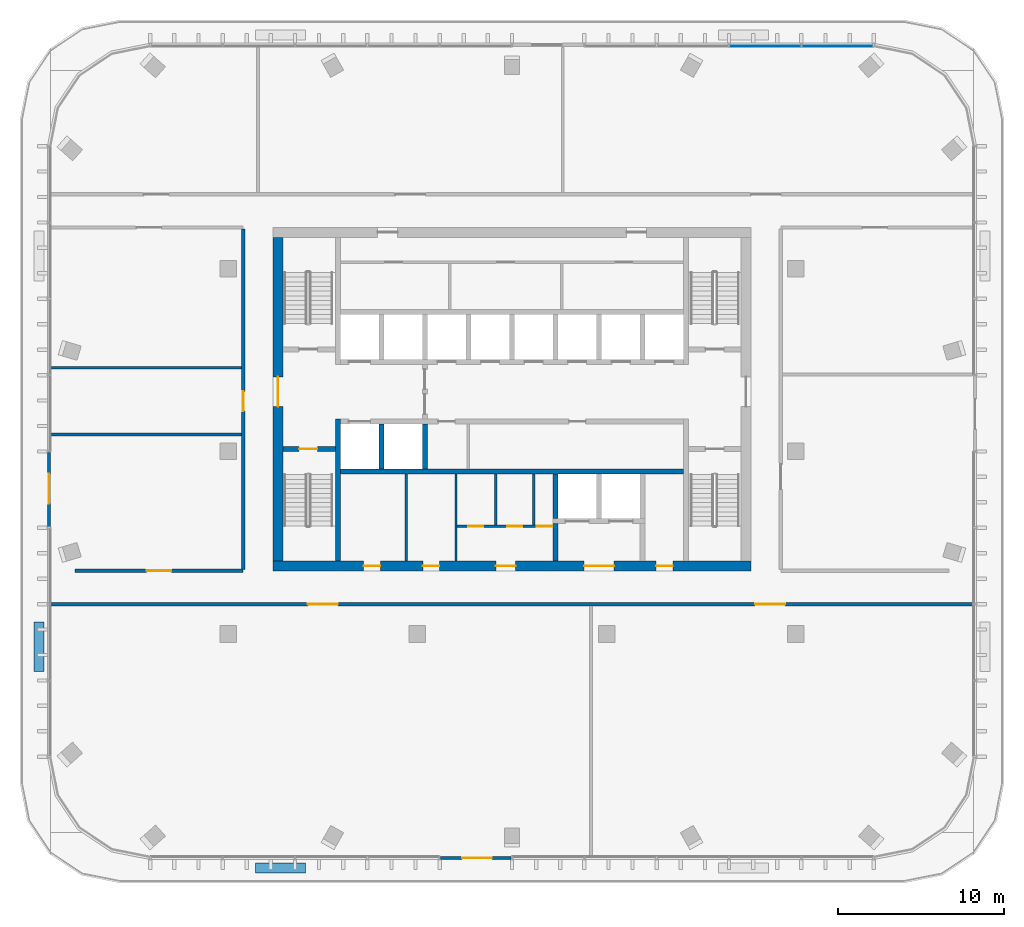
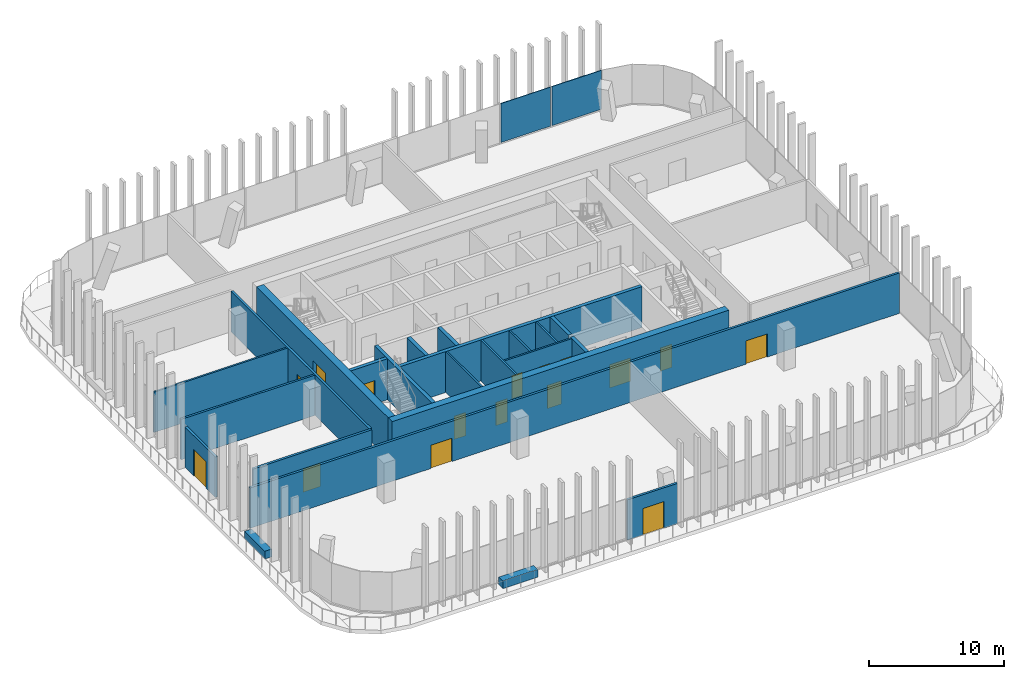
# One storey, part 7 of 16: 23 walls, 16 doors, 2 plates, 16 openings, 1 element without a shape of its own.
"""IFC4 building model written with IfcOpenShell, lengths in metres."""

import ifcopenshell
import ifcopenshell.guid

model = None  # the IFC model being written
_history = None  # IfcOwnerHistory: only IFC2X3 demands one
_inside = {}  # id of a spatial element -> (the spatial element, [elements in it])
_under = {}  # id of a project, library or spatial element -> (it, [spatial elements below it])
_declared = {}  # id of a project -> (the project, [libraries it declares])
_typed = {}  # id of a type object -> (the type object, [elements of that type])
_made_of = {}  # id of a material, layer set ... -> (it, [elements and type objects made of it])


def new_model(schema):
    """Start an empty IFC model of exactly this schema.

    Asked for "IFC4X3", IfcOpenShell would pick the latest addendum, in which some entities
    have other attributes; the version numbers below select the first issue.
    IFC2X3 requires an IfcOwnerHistory on every rooted entity: one is made here for all.
    """
    global model, _history
    if schema == "IFC4X3":
        model = ifcopenshell.file(schema_version=(4, 3, 0, 0))
    else:
        model = ifcopenshell.file(schema=schema)
    _inside.clear()
    _under.clear()
    _declared.clear()
    _typed.clear()
    _made_of.clear()
    _history = None
    if model.schema == "IFC2X3":
        org = make("IfcOrganization", Name="unknown")
        user = make(
            "IfcPersonAndOrganization",
            ThePerson=make("IfcPerson", FamilyName="unknown"),
            TheOrganization=org,
        )
        app = make(
            "IfcApplication",
            ApplicationDeveloper=org,
            Version="unknown",
            ApplicationFullName="unknown",
            ApplicationIdentifier="unknown",
        )
        _history = make(
            "IfcOwnerHistory",
            OwningUser=user,
            OwningApplication=app,
            ChangeAction="ADDED",
            CreationDate=0,
        )
    return model


def make(cls, **values):
    """One entity of the class cls with the attributes given. An attribute that is None is left unset."""
    return model.create_entity(
        cls, **{name: value for name, value in values.items() if value is not None}
    )


def rooted(cls, **values):
    """An entity with a GlobalId (a new one), such as an element, a storey or a relation."""
    return make(cls, GlobalId=ifcopenshell.guid.new(), OwnerHistory=_history, **values)


def si_unit(unit_type, name, prefix=None):
    """IfcSIUnit, for example si_unit("LENGTHUNIT", "METRE", prefix="MILLI")."""
    return make("IfcSIUnit", UnitType=unit_type, Prefix=prefix, Name=name)


def assignment(units):
    """IfcUnitAssignment: the units of a project."""
    return None if units is None else make("IfcUnitAssignment", Units=units)


def point(xyz):
    """IfcCartesianPoint."""
    return None if xyz is None else make("IfcCartesianPoint", Coordinates=xyz)


def direction(xyz):
    """IfcDirection."""
    return None if xyz is None else make("IfcDirection", DirectionRatios=xyz)


def frame(location, z_axis=None, x_axis=None):
    """IfcAxis2Placement3D, a coordinate frame: its origin and axes. An axis left out is left unset."""
    return make(
        "IfcAxis2Placement3D",
        Location=point(location),
        Axis=direction(z_axis),
        RefDirection=direction(x_axis),
    )


def frame_2d(location, x_axis=None):
    """IfcAxis2Placement2D, a coordinate frame in the plane: its origin and x axis."""
    return make(
        "IfcAxis2Placement2D", Location=point(location), RefDirection=direction(x_axis)
    )


def origin():
    """The frame at (0, 0, 0) with its axes left unset."""
    return frame((0.0, 0.0, 0.0))


def origin_2d():
    """The frame at (0, 0) in the plane with its x axis left unset."""
    return frame_2d((0.0, 0.0))


def place(relative_to, where):
    """IfcLocalPlacement: puts the frame where relative to a parent placement (None: the world)."""
    return make(
        "IfcLocalPlacement", PlacementRelTo=relative_to, RelativePlacement=where
    )


def context(
    kind, dimensions, precision=None, world=None, true_north=None, identifier=None
):
    """IfcGeometricRepresentationContext, for example the 3D "Model" context."""
    return make(
        "IfcGeometricRepresentationContext",
        ContextIdentifier=identifier,
        ContextType=kind,
        CoordinateSpaceDimension=dimensions,
        Precision=precision,
        WorldCoordinateSystem=world,
        TrueNorth=true_north,
    )


def subcontext(parent, identifier, kind, view, scale=None):
    """IfcGeometricRepresentationSubContext, for example "Body" below "Model"."""
    return make(
        "IfcGeometricRepresentationSubContext",
        ContextIdentifier=identifier,
        ContextType=kind,
        ParentContext=parent,
        TargetScale=scale,
        TargetView=view,
    )


def project(units=None, contexts=None):
    """IfcProject with its units and contexts."""
    return rooted(
        "IfcProject",
        Name="project",
        RepresentationContexts=contexts,
        UnitsInContext=assignment(units),
    )


def spatial(cls, under=None, at=None, **own):
    """A site, building, storey or space (cls), placed at a placement, below another one or the project."""
    s = rooted(cls, ObjectPlacement=at, **own)
    if under is not None:
        _under.setdefault(under.id(), (under, []))[1].append(s)
    return s


def profile(cls, at=None, kind="AREA", **sizes):
    """A parametric profile (cls). Its sizes go by their IFC names, for example OverallWidth=200.0."""
    return make(cls, ProfileType=kind, Position=at, **sizes)


def rectangle(**sizes):
    """IfcRectangleProfileDef."""
    return profile("IfcRectangleProfileDef", **sizes)


def extrude(swept, where, along, depth):
    """IfcExtrudedAreaSolid: the profile swept, set in the frame where, extruded along a direction by depth."""
    return make(
        "IfcExtrudedAreaSolid",
        SweptArea=swept,
        Position=where,
        ExtrudedDirection=direction(along),
        Depth=depth,
    )


def shape(context_of_items, identifier, shape_type, items):
    """IfcShapeRepresentation: the items that make up one representation, for example the "Body"."""
    return make(
        "IfcShapeRepresentation",
        ContextOfItems=context_of_items,
        RepresentationIdentifier=identifier,
        RepresentationType=shape_type,
        Items=items,
    )


def material(Name=None, Category=None):
    """IfcMaterial."""
    return make("IfcMaterial", Name=Name, Category=Category)


def layer(
    of_material, thickness, ventilated=None, Name=None, Category=None, Priority=None
):
    """IfcMaterialLayer: one layer of a wall or slab, of a material (None: an air gap)."""
    return make(
        "IfcMaterialLayer",
        Material=of_material,
        LayerThickness=thickness,
        IsVentilated=ventilated,
        Name=Name,
        Category=Category,
        Priority=Priority,
    )


def layer_set(layers, Name=None):
    """IfcMaterialLayerSet."""
    return make("IfcMaterialLayerSet", MaterialLayers=layers, LayerSetName=Name)


def made_of(thing, what):
    """Note that an element or type object is made of a material, layer set ...; save() writes the relation."""
    if what is not None:
        _made_of.setdefault(what.id(), (what, []))[1].append(thing)
    return thing


def type_object(cls, material=None, **own):
    """A type object (cls), such as IfcWallType, which elements share."""
    return made_of(rooted(cls, **own), material)


def element(
    cls,
    number,
    at=None,
    inside=None,
    cuts=None,
    type_object=None,
    material=None,
    context=None,
    identifier="Body",
    shape_type=None,
    held_by="IfcProductDefinitionShape",
    body=None,
    shapes=None,
    **own,
):
    """One element of the class cls, such as IfcWall. Its Tag is "e" and its number.

    at: its placement. inside: the storey or other place that contains it. cuts: it is an
    opening in that element (IfcRelVoidsElement). A single representation is given by context,
    identifier, shape_type and body (its items); several are given by shapes. held_by: the class
    of the entity that holds the representations. save() writes the other relations.
    """
    e = rooted(cls, Tag="e%d" % number, ObjectPlacement=at, **own)
    if body is not None:
        shapes = [shape(context, identifier, shape_type, body)]
    if shapes is not None:
        e.Representation = make(held_by, Representations=shapes)
    if inside is not None:
        _inside.setdefault(inside.id(), (inside, []))[1].append(e)
    if cuts is not None:
        rooted(
            "IfcRelVoidsElement", RelatingBuildingElement=cuts, RelatedOpeningElement=e
        )
    if type_object is not None:
        _typed.setdefault(type_object.id(), (type_object, []))[1].append(e)
    return made_of(e, material)


def fill(opening, filler):
    """IfcRelFillsElement: the door or window that sits in an opening."""
    return rooted(
        "IfcRelFillsElement",
        RelatingOpeningElement=opening,
        RelatedBuildingElement=filler,
    )


def aggregate(whole, parts):
    """IfcRelAggregates: a whole, such as a stair, and the parts it consists of."""
    return rooted("IfcRelAggregates", RelatingObject=whole, RelatedObjects=parts)


def save(model, path):
    """Write the relations noted so far, then the file.

    IfcRelAggregates (storeys below a building ...), IfcRelContainedInSpatialStructure (elements
    in a storey), IfcRelDefinesByType, IfcRelAssociatesMaterial and IfcRelDeclares: one each for
    every whole, place, type object, material and project.
    """
    for whole, parts in _under.values():
        aggregate(whole, parts)
    for where, things in _inside.values():
        rooted(
            "IfcRelContainedInSpatialStructure",
            RelatedElements=things,
            RelatingStructure=where,
        )
    for kind, things in _typed.values():
        rooted("IfcRelDefinesByType", RelatedObjects=things, RelatingType=kind)
    for what, things in _made_of.values():
        rooted("IfcRelAssociatesMaterial", RelatedObjects=things, RelatingMaterial=what)
    for by, libraries in _declared.values():
        rooted("IfcRelDeclares", RelatingContext=by, RelatedDefinitions=libraries)
    model.write(path)


model = new_model("IFC4")

# Units and contexts
model_context = context("Model", 3, precision=1e-05, world=origin(), true_north=direction((0.0, 1.0)))
body_context = subcontext(model_context, "Body", "Model", "MODEL_VIEW")
ifc_project = project(units=[si_unit("LENGTHUNIT", "METRE"), si_unit("AREAUNIT", "SQUARE_METRE"), si_unit("VOLUMEUNIT", "CUBIC_METRE"), si_unit("PLANEANGLEUNIT", "RADIAN"), si_unit("MASSUNIT", "GRAM", prefix="KILO")], contexts=[model_context])

# Site, building, storey
site_placement = place(None, origin())
site = spatial("IfcSite", under=ifc_project, at=site_placement, CompositionType="ELEMENT")
building_placement = place(site_placement, origin())
building = spatial("IfcBuilding", under=site, at=building_placement, Name="Mopane Tessera Tower", CompositionType="ELEMENT")
storey_placement = place(building_placement, frame((0.0, 0.0, 321.39990234375)))
storey = spatial("IfcBuildingStorey", under=building, at=storey_placement, Name="L70", CompositionType="ELEMENT", Elevation=321.39990234375)

# Curtain wall, plates
ifc_material_1 = material(Name="Aluminium frame", Category="aluminium")
curtain_wall_type = type_object("IfcCurtainWallType", Name="Unitised curtain wall", PredefinedType="NOTDEFINED", material=ifc_material_1)
curtain_wall_placement = place(storey_placement, origin())
curtain_wall = element("IfcCurtainWall", 1, at=curtain_wall_placement, inside=storey, type_object=curtain_wall_type, Name="e:cw:L70:N:0", PredefinedType="NOTDEFINED")
ifc_material_2 = material(Name="Clear laminated glass", Category="glass")
ifc_layer_1 = layer(ifc_material_2, 0.06005859375)
ifc_layer_set_1 = layer_set([ifc_layer_1], Name="Clear laminated glass")
plate_type = type_object("IfcPlateType", Name="Unitised glazed unit", PredefinedType="CURTAIN_PANEL", material=ifc_layer_set_1)
plate_1_placement = place(storey_placement, frame((19.6201171875, 24.429931640625, 0.1201171875), z_axis=(0.0, 0.0, 1.0), x_axis=(-1.0, 0.0, 0.0)))
plate_1 = element("IfcPlate", 2, at=plate_1_placement, type_object=plate_type, Name="e:cw:L70:N:0:pn0", PredefinedType="CURTAIN_PANEL", context=body_context, shape_type="SweptSolid", body=[
    extrude(rectangle(XDim=4.260009765625, YDim=0.06005859375, at=origin_2d()), origin(), (0.0, 0.0, 1.0), 3.530029296875),
])
plate_2_placement = place(storey_placement, frame((15.260009765625, 24.429931640625, 0.1201171875), z_axis=(0.0, 0.0, 1.0), x_axis=(-1.0, 0.0, 0.0)))
plate_2 = element("IfcPlate", 3, at=plate_2_placement, type_object=plate_type, Name="e:cw:L70:N:0:pn1", PredefinedType="CURTAIN_PANEL", context=body_context, shape_type="SweptSolid", body=[
    extrude(rectangle(XDim=4.260009765625, YDim=0.06005859375, at=origin_2d()), origin(), (0.0, 0.0, 1.0), 3.530029296875),
])
aggregate(curtain_wall, [plate_1, plate_2])

# Walls
ifc_material_3 = material(Name="Fire-rated gypsum board partition")
ifc_layer_2 = layer(ifc_material_3, 0.14990234375)
ifc_layer_set_2 = layer_set([ifc_layer_2], Name="Fire-rated gypsum board partition")
wall_type_1 = type_object("IfcWallType", Name="Core room partition 150 mm", PredefinedType="PARTITIONING", material=ifc_layer_set_2)
for number, where, z_axis, x_axis, name in (
    (4, (-6.375, -6.60009765625, 0.0), (0.0, 0.0, 1.0), (0.0, 1.0, 0.0), "L70 Room partition"),
    (5, (-3.375, -6.60009765625, 0.0), (0.0, 0.0, 1.0), (0.0, 1.0, 0.0), "L70 Room partition"),
):
    element("IfcWall", number, at=place(storey_placement, frame(where, z_axis=z_axis, x_axis=x_axis)), inside=storey, type_object=wall_type_1, Name=name, PredefinedType="PARTITIONING", context=body_context, shape_type="SweptSolid", body=[
        extrude(rectangle(XDim=5.25, YDim=0.14990234375, at=frame_2d((2.625, 0.0))), origin(), (0.0, 0.0, 1.0), 3.7001953125),
    ])

# Wall, openings, doors
wall_1_placement = place(storey_placement, frame((-3.300048828125, -4.5, 0.0), z_axis=(0.0, 0.0, 1.0), x_axis=(1.0, 0.0, 0.0)))
wall_1 = element("IfcWall", 6, at=wall_1_placement, inside=storey, type_object=wall_type_1, Name="L70 WC partition", PredefinedType="PARTITIONING", context=body_context, shape_type="SweptSolid", body=[
    extrude(rectangle(XDim=5.775146484375, YDim=0.14990234375, at=frame_2d((2.8876953125, 0.0))), origin(), (0.0, 0.0, 1.0), 3.7001953125),
])
opening_1_placement = place(wall_1_placement, frame((0.675048828125, 0.0, 0.0)))
opening_1 = element("IfcOpeningElement", 7, at=opening_1_placement, cuts=wall_1, Name="Opening WD1", PredefinedType="OPENING", context=body_context, shape_type="SweptSolid", body=[
    extrude(rectangle(XDim=0.89990234375, YDim=2.10009765625, at=frame_2d((0.449951171875, 1.050048828125))), frame((0.0, 0.0869140625, 0.0), z_axis=(0.0, -1.0, 0.0), x_axis=(1.0, 0.0, 0.0)), (0.0, 0.0, 1.0), 0.173828125),
])
opening_2_placement = place(wall_1_placement, frame((3.014892578125, 0.0, 0.0)))
opening_2 = element("IfcOpeningElement", 8, at=opening_2_placement, cuts=wall_1, Name="Opening WD1", PredefinedType="OPENING", context=body_context, shape_type="SweptSolid", body=[
    extrude(rectangle(XDim=0.89990234375, YDim=2.10009765625, at=frame_2d((0.449951171875, 1.050048828125))), frame((0.0, 0.0869140625, 0.0), z_axis=(0.0, -1.0, 0.0), x_axis=(1.0, 0.0, 0.0)), (0.0, 0.0, 1.0), 0.173828125),
])
opening_3_placement = place(wall_1_placement, frame((4.7900390625, 0.0, 0.0)))
opening_3 = element("IfcOpeningElement", 9, at=opening_3_placement, cuts=wall_1, Name="Opening WD2", PredefinedType="OPENING", context=body_context, shape_type="SweptSolid", body=[
    extrude(rectangle(XDim=0.949951171875, YDim=2.10009765625, at=frame_2d((0.47509765625, 1.050048828125))), frame((0.0, 0.0869140625, 0.0), z_axis=(0.0, -1.0, 0.0), x_axis=(1.0, 0.0, 0.0)), (0.0, 0.0, 1.0), 0.173828125),
])
ifc_material_4 = material(Name="Timber door", Category="wood")
door_type_1 = type_object("IfcDoorType", Name="Accessible WC door 950 x 2100", OperationType="SINGLE_SWING_LEFT", PredefinedType="DOOR", material=ifc_material_4)
door_1_placement = place(opening_3_placement, origin())
door_1 = element("IfcDoor", 10, at=door_1_placement, inside=storey, type_object=door_type_1, Name="L70 Accessible WC door", OperationType="SINGLE_SWING_LEFT", OverallHeight=2.10009765625, OverallWidth=0.949951171875, PredefinedType="DOOR", context=body_context, shape_type="SweptSolid", body=[
    extrude(rectangle(XDim=0.949951171875, YDim=2.10009765625, at=frame_2d((0.47509765625, 1.050048828125))), frame((0.0, 0.02490234375, 0.0), z_axis=(0.0, -1.0, 0.0), x_axis=(1.0, 0.0, 0.0)), (0.0, 0.0, 1.0), 0.050048828125),
])
fill(opening_3, door_1)
ifc_material_5 = material(Name="Timber door", Category="wood")
door_type_2 = type_object("IfcDoorType", Name="WC cubicle door 900 x 2100", OperationType="SINGLE_SWING_LEFT", PredefinedType="DOOR", material=ifc_material_5)
door_2_placement = place(opening_1_placement, origin())
door_2 = element("IfcDoor", 11, at=door_2_placement, inside=storey, type_object=door_type_2, Name="L70 Men's WC door", OperationType="SINGLE_SWING_LEFT", OverallHeight=2.10009765625, OverallWidth=0.89990234375, PredefinedType="DOOR", context=body_context, shape_type="SweptSolid", body=[
    extrude(rectangle(XDim=0.89990234375, YDim=2.10009765625, at=frame_2d((0.449951171875, 1.050048828125))), frame((0.0, 0.02490234375, 0.0), z_axis=(0.0, -1.0, 0.0), x_axis=(1.0, 0.0, 0.0)), (0.0, 0.0, 1.0), 0.050048828125),
])
fill(opening_1, door_2)
door_3_placement = place(opening_2_placement, origin())
door_3 = element("IfcDoor", 12, at=door_3_placement, inside=storey, type_object=door_type_2, Name="L70 Women's WC door", OperationType="SINGLE_SWING_LEFT", OverallHeight=2.10009765625, OverallWidth=0.89990234375, PredefinedType="DOOR", context=body_context, shape_type="SweptSolid", body=[
    extrude(rectangle(XDim=0.89990234375, YDim=2.10009765625, at=frame_2d((0.449951171875, 1.050048828125))), frame((0.0, 0.02490234375, 0.0), z_axis=(0.0, -1.0, 0.0), x_axis=(1.0, 0.0, 0.0)), (0.0, 0.0, 1.0), 0.050048828125),
])
fill(opening_2, door_3)

# Walls
for number, where, z_axis, x_axis, name in (
    (13, (-0.97509765625, -4.425048828125, 0.0), (0.0, 0.0, 1.0), (0.0, 1.0, 0.0), "L70 WC partition"),
    (14, (1.304931640625, -4.425048828125, 0.0), (0.0, 0.0, 1.0), (0.0, 1.0, 0.0), "L70 WC partition"),
):
    element("IfcWall", number, at=place(storey_placement, frame(where, z_axis=z_axis, x_axis=x_axis)), inside=storey, type_object=wall_type_1, Name=name, PredefinedType="PARTITIONING", context=body_context, shape_type="SweptSolid", body=[
        extrude(rectangle(XDim=3.074951171875, YDim=0.14990234375, at=frame_2d((1.53759765625, 0.0))), origin(), (0.0, 0.0, 1.0), 3.7001953125),
    ])

# Wall, openings, doors
ifc_material_6 = material(Name="Concrete C70/85", Category="concrete")
ifc_layer_3 = layer(ifc_material_6, 0.60009765625)
ifc_layer_set_3 = layer_set([ifc_layer_3], Name="Concrete C70/85")
wall_type_2 = type_object("IfcWallType", Name="Core shear wall 600 mm", PredefinedType="SHEAR", material=ifc_layer_set_3)
wall_2_placement = place(storey_placement, frame((-14.39990234375, -6.89990234375, 0.0), z_axis=(0.0, 0.0, 1.0), x_axis=(1.0, 0.0, 0.0)))
wall_2 = element("IfcWall", 15, at=wall_2_placement, inside=storey, type_object=wall_type_2, Name="L70 Core wall south", PredefinedType="SHEAR", context=body_context, shape_type="SweptSolid", body=[
    extrude(rectangle(XDim=28.7998046875, YDim=0.60009765625, at=frame_2d((14.39990234375, 0.0))), origin(), (0.0, 0.0, 1.0), 3.7001953125),
])
opening_4_placement = place(wall_2_placement, frame((5.46240234375, 0.0, 0.0)))
opening_4 = element("IfcOpeningElement", 16, at=opening_4_placement, cuts=wall_2, Name="Opening RD1", PredefinedType="OPENING", context=body_context, shape_type="SweptSolid", body=[
    extrude(rectangle(XDim=1.0, YDim=2.10009765625, at=frame_2d((0.5, 1.050048828125))), frame((0.0, 0.31201171875, 0.0), z_axis=(0.0, -1.0, 0.0), x_axis=(1.0, 0.0, 0.0)), (0.0, 0.0, 1.0), 0.6240234375),
])
opening_5_placement = place(wall_2_placement, frame((9.02490234375, 0.0, 0.0)))
opening_5 = element("IfcOpeningElement", 17, at=opening_5_placement, cuts=wall_2, Name="Opening RD1", PredefinedType="OPENING", context=body_context, shape_type="SweptSolid", body=[
    extrude(rectangle(XDim=1.0, YDim=2.10009765625, at=frame_2d((0.5, 1.050048828125))), frame((0.0, 0.31201171875, 0.0), z_axis=(0.0, -1.0, 0.0), x_axis=(1.0, 0.0, 0.0)), (0.0, 0.0, 1.0), 0.6240234375),
])
opening_6_placement = place(wall_2_placement, frame((13.425048828125, 0.0, 0.0)))
opening_6 = element("IfcOpeningElement", 18, at=opening_6_placement, cuts=wall_2, Name="Opening WD3", PredefinedType="OPENING", context=body_context, shape_type="SweptSolid", body=[
    extrude(rectangle(XDim=1.199951171875, YDim=2.10009765625, at=frame_2d((0.60009765625, 1.050048828125))), frame((0.0, 0.31201171875, 0.0), z_axis=(0.0, -1.0, 0.0), x_axis=(1.0, 0.0, 0.0)), (0.0, 0.0, 1.0), 0.6240234375),
])
opening_7_placement = place(wall_2_placement, frame((18.75, 0.0, 0.0)))
opening_7 = element("IfcOpeningElement", 19, at=opening_7_placement, cuts=wall_2, Name="Opening SD2", PredefinedType="OPENING", context=body_context, shape_type="SweptSolid", body=[
    extrude(rectangle(XDim=1.800048828125, YDim=2.10009765625, at=frame_2d((0.89990234375, 1.050048828125))), frame((0.0, 0.31201171875, 0.0), z_axis=(0.0, -1.0, 0.0), x_axis=(1.0, 0.0, 0.0)), (0.0, 0.0, 1.0), 0.6240234375),
])
opening_8_placement = place(wall_2_placement, frame((23.08740234375, 0.0, 0.0)))
opening_8 = element("IfcOpeningElement", 20, at=opening_8_placement, cuts=wall_2, Name="Opening RD1", PredefinedType="OPENING", context=body_context, shape_type="SweptSolid", body=[
    extrude(rectangle(XDim=1.0, YDim=2.10009765625, at=frame_2d((0.5, 1.050048828125))), frame((0.0, 0.31201171875, 0.0), z_axis=(0.0, -1.0, 0.0), x_axis=(1.0, 0.0, 0.0)), (0.0, 0.0, 1.0), 0.6240234375),
])
ifc_material_7 = material(Name="Steel fire door", Category="steel")
door_type_3 = type_object("IfcDoorType", Name="Core entrance double door 1800 x 2100", OperationType="DOUBLE_DOOR_SINGLE_SWING", PredefinedType="DOOR", material=ifc_material_7)
door_4_placement = place(opening_7_placement, origin())
door_4 = element("IfcDoor", 21, at=door_4_placement, inside=storey, type_object=door_type_3, Name="L70 Service lobby door", OperationType="DOUBLE_DOOR_SINGLE_SWING", OverallHeight=2.10009765625, OverallWidth=1.800048828125, PredefinedType="DOOR", context=body_context, shape_type="SweptSolid", body=[
    extrude(rectangle(XDim=1.800048828125, YDim=2.10009765625, at=frame_2d((0.89990234375, 1.050048828125))), frame((0.0, 0.02490234375, 0.0), z_axis=(0.0, -1.0, 0.0), x_axis=(1.0, 0.0, 0.0)), (0.0, 0.0, 1.0), 0.050048828125),
])
fill(opening_7, door_4)
ifc_material_8 = material(Name="Timber door", Category="wood")
door_type_4 = type_object("IfcDoorType", Name="Core room door 1000 x 2100", OperationType="SINGLE_SWING_LEFT", PredefinedType="DOOR", material=ifc_material_8)
door_5_placement = place(opening_4_placement, origin())
door_5 = element("IfcDoor", 22, at=door_5_placement, inside=storey, type_object=door_type_4, Name="L70 Room door", OperationType="SINGLE_SWING_LEFT", OverallHeight=2.10009765625, OverallWidth=1.0, PredefinedType="DOOR", context=body_context, shape_type="SweptSolid", body=[
    extrude(rectangle(XDim=1.0, YDim=2.10009765625, at=frame_2d((0.5, 1.050048828125))), frame((0.0, 0.02490234375, 0.0), z_axis=(0.0, -1.0, 0.0), x_axis=(1.0, 0.0, 0.0)), (0.0, 0.0, 1.0), 0.050048828125),
])
fill(opening_4, door_5)
door_6_placement = place(opening_5_placement, origin())
door_6 = element("IfcDoor", 23, at=door_6_placement, inside=storey, type_object=door_type_4, Name="L70 Room door", OperationType="SINGLE_SWING_LEFT", OverallHeight=2.10009765625, OverallWidth=1.0, PredefinedType="DOOR", context=body_context, shape_type="SweptSolid", body=[
    extrude(rectangle(XDim=1.0, YDim=2.10009765625, at=frame_2d((0.5, 1.050048828125))), frame((0.0, 0.02490234375, 0.0), z_axis=(0.0, -1.0, 0.0), x_axis=(1.0, 0.0, 0.0)), (0.0, 0.0, 1.0), 0.050048828125),
])
fill(opening_5, door_6)
door_7_placement = place(opening_8_placement, origin())
door_7 = element("IfcDoor", 24, at=door_7_placement, inside=storey, type_object=door_type_4, Name="L70 Room door", OperationType="SINGLE_SWING_LEFT", OverallHeight=2.10009765625, OverallWidth=1.0, PredefinedType="DOOR", context=body_context, shape_type="SweptSolid", body=[
    extrude(rectangle(XDim=1.0, YDim=2.10009765625, at=frame_2d((0.5, 1.050048828125))), frame((0.0, 0.02490234375, 0.0), z_axis=(0.0, -1.0, 0.0), x_axis=(1.0, 0.0, 0.0)), (0.0, 0.0, 1.0), 0.050048828125),
])
fill(opening_8, door_7)
ifc_material_9 = material(Name="Timber door", Category="wood")
door_type_5 = type_object("IfcDoorType", Name="WC lobby door 1200 x 2100", OperationType="SINGLE_SWING_LEFT", PredefinedType="DOOR", material=ifc_material_9)
door_8_placement = place(opening_6_placement, origin())
door_8 = element("IfcDoor", 25, at=door_8_placement, inside=storey, type_object=door_type_5, Name="L70 WC lobby door", OperationType="SINGLE_SWING_LEFT", OverallHeight=2.10009765625, OverallWidth=1.199951171875, PredefinedType="DOOR", context=body_context, shape_type="SweptSolid", body=[
    extrude(rectangle(XDim=1.199951171875, YDim=2.10009765625, at=frame_2d((0.60009765625, 1.050048828125))), frame((0.0, 0.02490234375, 0.0), z_axis=(0.0, -1.0, 0.0), x_axis=(1.0, 0.0, 0.0)), (0.0, 0.0, 1.0), 0.050048828125),
])
fill(opening_6, door_8)

# Wall, opening, door
wall_3_placement = place(storey_placement, frame((-14.10009765625, -6.60009765625, 0.0), z_axis=(0.0, 0.0, 1.0), x_axis=(0.0, 1.0, 0.0)))
wall_3 = element("IfcWall", 26, at=wall_3_placement, inside=storey, type_object=wall_type_2, Name="L70 Core wall west", PredefinedType="SHEAR", context=body_context, shape_type="SweptSolid", body=[
    extrude(rectangle(XDim=19.5, YDim=0.60009765625, at=frame_2d((9.75, 0.0))), origin(), (0.0, 0.0, 1.0), 3.7001953125),
])
opening_9_placement = place(wall_3_placement, frame((9.300048828125, 0.0, 0.0)))
opening_9 = element("IfcOpeningElement", 27, at=opening_9_placement, cuts=wall_3, Name="Opening SD2", PredefinedType="OPENING", context=body_context, shape_type="SweptSolid", body=[
    extrude(rectangle(XDim=1.800048828125, YDim=2.10009765625, at=frame_2d((0.89990234375, 1.050048828125))), frame((0.0, 0.31201171875, 0.0), z_axis=(0.0, -1.0, 0.0), x_axis=(1.0, 0.0, 0.0)), (0.0, 0.0, 1.0), 0.6240234375),
])
door_9_placement = place(opening_9_placement, origin())
door_9 = element("IfcDoor", 28, at=door_9_placement, inside=storey, type_object=door_type_3, Name="L70 Core entrance door west", OperationType="DOUBLE_DOOR_SINGLE_SWING", OverallHeight=2.10009765625, OverallWidth=1.800048828125, PredefinedType="DOOR", context=body_context, shape_type="SweptSolid", body=[
    extrude(rectangle(XDim=1.800048828125, YDim=2.10009765625, at=frame_2d((0.89990234375, 1.050048828125))), frame((0.0, 0.02490234375, 0.0), z_axis=(0.0, -1.0, 0.0), x_axis=(1.0, 0.0, 0.0)), (0.0, 0.0, 1.0), 0.050048828125),
])
fill(opening_9, door_9)

# Walls
ifc_material_10 = material(Name="Concrete C60/75", Category="concrete")
ifc_layer_4 = layer(ifc_material_10, 0.300048828125)
ifc_layer_set_4 = layer_set([ifc_layer_4], Name="Concrete C60/75")
wall_type_3 = type_object("IfcWallType", Name="Core spine wall 300 mm", PredefinedType="SHEAR", material=ifc_layer_set_4)
wall_4_placement = place(storey_placement, frame((-10.5, -6.60009765625, 0.0), z_axis=(0.0, 0.0, 1.0), x_axis=(0.0, 1.0, 0.0)))
element("IfcWall", 29, at=wall_4_placement, inside=storey, type_object=wall_type_3, Name="L70 Core spine wall", PredefinedType="SHEAR", context=body_context, shape_type="SweptSolid", body=[
    extrude(rectangle(XDim=8.550048828125, YDim=0.300048828125, at=frame_2d((4.27490234375, 0.0))), origin(), (0.0, 0.0, 1.0), 3.7001953125),
])
ifc_material_11 = material(Name="Gypsum board on staggered steel studs, double layer each face, acoustic mineral wool infill", Category="steel")
ifc_layer_5 = layer(ifc_material_11, 0.175048828125)
ifc_layer_set_5 = layer_set([ifc_layer_5], Name="Gypsum board on staggered steel studs, double layer each face, acoustic mineral wool infill")
wall_type_4 = type_object("IfcWallType", Name="Gypsum board acoustic partition 175, rated EI 60", PredefinedType="PARTITIONING", material=ifc_layer_set_5)
wall_5_placement = place(storey_placement, frame((-27.75, 1.010009765625, 0.0), z_axis=(0.0, 0.0, 1.0), x_axis=(1.0, 0.0, 0.0)))
element("IfcWall", 30, at=wall_5_placement, inside=storey, type_object=wall_type_4, Name="Partition L70:003", PredefinedType="PARTITIONING", context=body_context, shape_type="SweptSolid", body=[
    extrude(rectangle(XDim=11.449951171875, YDim=0.175048828125, at=frame_2d((5.72509765625, 0.0))), origin(), (0.0, 0.0, 1.0), 3.650146484375),
])

# Wall, openings, doors
ifc_material_12 = material(Name="Gypsum board on steel studs, two layers each face, mineral wool infill", Category="steel")
ifc_layer_6 = layer(ifc_material_12, 0.199951171875)
ifc_layer_set_6 = layer_set([ifc_layer_6], Name="Gypsum board on steel studs, two layers each face, mineral wool infill")
wall_type_5 = type_object("IfcWallType", Name="Gypsum board corridor wall 200, rated EI 60", PredefinedType="PARTITIONING", material=ifc_layer_set_6)
wall_6_placement = place(storey_placement, frame((-27.75, -9.199951171875, 0.0), z_axis=(0.0, 0.0, 1.0), x_axis=(1.0, 0.0, 0.0)))
wall_6 = element("IfcWall", 31, at=wall_6_placement, inside=storey, type_object=wall_type_5, Name="Partition L70:000", PredefinedType="PARTITIONING", context=body_context, shape_type="SweptSolid", body=[
    extrude(rectangle(XDim=55.5, YDim=0.199951171875, at=frame_2d((27.75, 0.0))), origin(), (0.0, 0.0, 1.0), 3.650146484375),
])
opening_10_placement = place(wall_6_placement, frame((42.405029296875, 0.0, 0.0)))
opening_10 = element("IfcOpeningElement", 32, at=opening_10_placement, cuts=wall_6, Name="Opening L70-05", PredefinedType="OPENING", context=body_context, shape_type="SweptSolid", body=[
    extrude(rectangle(XDim=1.800048828125, YDim=2.10009765625, at=frame_2d((0.89990234375, 1.050048828125))), frame((0.0, 0.112060546875, 0.0), z_axis=(0.0, -1.0, 0.0), x_axis=(1.0, 0.0, 0.0)), (0.0, 0.0, 1.0), 0.223876953125),
])
opening_11_placement = place(wall_6_placement, frame((15.455078125, 0.0, 0.0)))
opening_11 = element("IfcOpeningElement", 33, at=opening_11_placement, cuts=wall_6, Name="Opening L70-08", PredefinedType="OPENING", context=body_context, shape_type="SweptSolid", body=[
    extrude(rectangle(XDim=1.800048828125, YDim=2.10009765625, at=frame_2d((0.89990234375, 1.050048828125))), frame((0.0, 0.112060546875, 0.0), z_axis=(0.0, -1.0, 0.0), x_axis=(1.0, 0.0, 0.0)), (0.0, 0.0, 1.0), 0.223876953125),
])
ifc_material_13 = material(Name="Timber veneered steel-framed fire door", Category="steel")
door_type_6 = type_object("IfcDoorType", Name="Fire door pair FD60 1800 x 2100", OperationType="DOUBLE_DOOR_SINGLE_SWING", PredefinedType="DOOR", material=ifc_material_13)
door_10_placement = place(opening_10_placement, origin())
door_10 = element("IfcDoor", 34, at=door_10_placement, inside=storey, type_object=door_type_6, Name="Door L70-05", ObjectType="D20A", OperationType="DOUBLE_DOOR_SINGLE_SWING", OverallHeight=2.10009765625, OverallWidth=1.800048828125, PredefinedType="DOOR", context=body_context, shape_type="SweptSolid", body=[
    extrude(rectangle(XDim=1.800048828125, YDim=2.10009765625, at=frame_2d((0.89990234375, 1.050048828125))), frame((0.0, 0.02490234375, 0.0), z_axis=(0.0, -1.0, 0.0), x_axis=(1.0, 0.0, 0.0)), (0.0, 0.0, 1.0), 0.050048828125),
])
fill(opening_10, door_10)
door_11_placement = place(opening_11_placement, origin())
door_11 = element("IfcDoor", 35, at=door_11_placement, inside=storey, type_object=door_type_6, Name="Door L70-08", ObjectType="D20A", OperationType="DOUBLE_DOOR_SINGLE_SWING", OverallHeight=2.10009765625, OverallWidth=1.800048828125, PredefinedType="DOOR", context=body_context, shape_type="SweptSolid", body=[
    extrude(rectangle(XDim=1.800048828125, YDim=2.10009765625, at=frame_2d((0.89990234375, 1.050048828125))), frame((0.0, 0.02490234375, 0.0), z_axis=(0.0, -1.0, 0.0), x_axis=(1.0, 0.0, 0.0)), (0.0, 0.0, 1.0), 0.050048828125),
])
fill(opening_11, door_11)

# Wall, opening, door
wall_7_placement = place(storey_placement, frame((-26.35009765625, -7.199951171875, 0.0), z_axis=(0.0, 0.0, 1.0), x_axis=(1.0, 0.0, 0.0)))
wall_7 = element("IfcWall", 36, at=wall_7_placement, inside=storey, type_object=wall_type_5, Name="Partition L70:001", PredefinedType="PARTITIONING", context=body_context, shape_type="SweptSolid", body=[
    extrude(rectangle(XDim=10.150146484375, YDim=0.199951171875, at=frame_2d((5.0751953125, 0.0))), origin(), (0.0, 0.0, 1.0), 3.650146484375),
])
opening_12_placement = place(wall_7_placement, frame((4.324951171875, 0.0, 0.0)))
opening_12 = element("IfcOpeningElement", 37, at=opening_12_placement, cuts=wall_7, Name="Opening L70-07", PredefinedType="OPENING", context=body_context, shape_type="SweptSolid", body=[
    extrude(rectangle(XDim=1.5, YDim=2.10009765625, at=frame_2d((0.75, 1.050048828125))), frame((0.0, 0.112060546875, 0.0), z_axis=(0.0, -1.0, 0.0), x_axis=(1.0, 0.0, 0.0)), (0.0, 0.0, 1.0), 0.223876953125),
])
ifc_material_14 = material(Name="Timber veneered steel-framed fire door", Category="steel")
door_type_7 = type_object("IfcDoorType", Name="Fire door pair FD60 1500 x 2100", OperationType="DOUBLE_DOOR_SINGLE_SWING", PredefinedType="DOOR", material=ifc_material_14)
door_12_placement = place(opening_12_placement, origin())
door_12 = element("IfcDoor", 38, at=door_12_placement, inside=storey, type_object=door_type_7, Name="Door L70-07", ObjectType="D17A", OperationType="DOUBLE_DOOR_SINGLE_SWING", OverallHeight=2.10009765625, OverallWidth=1.5, PredefinedType="DOOR", context=body_context, shape_type="SweptSolid", body=[
    extrude(rectangle(XDim=1.5, YDim=2.10009765625, at=frame_2d((0.75, 1.050048828125))), frame((0.0, 0.02490234375, 0.0), z_axis=(0.0, -1.0, 0.0), x_axis=(1.0, 0.0, 0.0)), (0.0, 0.0, 1.0), 0.050048828125),
])
fill(opening_12, door_12)

wall_8_placement = place(storey_placement, frame((-16.199951171875, -7.10009765625, 0.0), z_axis=(0.0, 0.0, 1.0), x_axis=(0.0, 1.0, 0.0)))
wall_8 = element("IfcWall", 39, at=wall_8_placement, inside=storey, type_object=wall_type_5, Name="Partition L70:009", PredefinedType="PARTITIONING", context=body_context, shape_type="SweptSolid", body=[
    extrude(rectangle(XDim=20.5, YDim=0.199951171875, at=frame_2d((10.25, 0.0))), origin(), (0.0, 0.0, 1.0), 3.650146484375),
])
opening_13_placement = place(wall_8_placement, frame((9.52490234375, 0.0, 0.0)))
opening_13 = element("IfcOpeningElement", 40, at=opening_13_placement, cuts=wall_8, Name="Opening L70-03", PredefinedType="OPENING", context=body_context, shape_type="SweptSolid", body=[
    extrude(rectangle(XDim=1.199951171875, YDim=2.10009765625, at=frame_2d((0.60009765625, 1.050048828125))), frame((0.0, 0.112060546875, 0.0), z_axis=(0.0, -1.0, 0.0), x_axis=(1.0, 0.0, 0.0)), (0.0, 0.0, 1.0), 0.223876953125),
])
ifc_material_15 = material(Name="Timber veneered steel-framed fire door", Category="steel")
door_type_8 = type_object("IfcDoorType", Name="Fire door FD60 1200 x 2100", OperationType="SINGLE_SWING_LEFT", PredefinedType="DOOR", material=ifc_material_15)
door_13_placement = place(opening_13_placement, origin())
door_13 = element("IfcDoor", 41, at=door_13_placement, inside=storey, type_object=door_type_8, Name="Door L70-03", ObjectType="D15A", OperationType="SINGLE_SWING_RIGHT", OverallHeight=2.10009765625, OverallWidth=1.199951171875, PredefinedType="DOOR", context=body_context, shape_type="SweptSolid", body=[
    extrude(rectangle(XDim=1.199951171875, YDim=2.10009765625, at=frame_2d((0.60009765625, 1.050048828125))), frame((0.0, 0.02490234375, 0.0), z_axis=(0.0, -1.0, 0.0), x_axis=(1.0, 0.0, 0.0)), (0.0, 0.0, 1.0), 0.050048828125),
])
fill(opening_13, door_13)

# Wall
ifc_material_16 = material(Name="Gypsum board on steel studs, mineral wool infill", Category="steel")
ifc_layer_7 = layer(ifc_material_16, 0.14990234375)
ifc_layer_set_7 = layer_set([ifc_layer_7], Name="Gypsum board on steel studs, mineral wool infill")
wall_type_6 = type_object("IfcWallType", Name="Gypsum board partition 150, rated EI 60", PredefinedType="PARTITIONING", material=ifc_layer_set_7)
wall_9_placement = place(storey_placement, frame((-27.75, 5.0400390625, 0.0), z_axis=(0.0, 0.0, 1.0), x_axis=(1.0, 0.0, 0.0)))
element("IfcWall", 42, at=wall_9_placement, inside=storey, type_object=wall_type_6, Name="Partition L70:005", PredefinedType="PARTITIONING", context=body_context, shape_type="SweptSolid", body=[
    extrude(rectangle(XDim=11.449951171875, YDim=0.14990234375, at=frame_2d((5.72509765625, 0.0))), origin(), (0.0, 0.0, 1.0), 3.650146484375),
])

# Wall, opening, door
ifc_material_17 = material(Name="Concrete C50/60", Category="concrete")
ifc_layer_8 = layer(ifc_material_17, 0.300048828125)
ifc_layer_set_8 = layer_set([ifc_layer_8], Name="Concrete C50/60")
wall_type_7 = type_object("IfcWallType", Name="Lift and stair shaft wall 300 mm", PredefinedType="SOLIDWALL", material=ifc_layer_set_8)
wall_10_placement = place(storey_placement, frame((-13.800048828125, 0.14990234375, 0.0), z_axis=(0.0, 0.0, 1.0), x_axis=(1.0, 0.0, 0.0)))
wall_10 = element("IfcWall", 43, at=wall_10_placement, inside=storey, type_object=wall_type_7, Name="L70 Stair enclosure wall", PredefinedType="SOLIDWALL", context=body_context, shape_type="SweptSolid", body=[
    extrude(rectangle(XDim=3.150146484375, YDim=0.300048828125, at=frame_2d((1.5751953125, 0.0))), origin(), (0.0, 0.0, 1.0), 3.7001953125),
])
opening_14_placement = place(wall_10_placement, frame((0.97509765625, 0.0, 0.0)))
opening_14 = element("IfcOpeningElement", 44, at=opening_14_placement, cuts=wall_10, Name="Opening SD1", PredefinedType="OPENING", context=body_context, shape_type="SweptSolid", body=[
    extrude(rectangle(XDim=1.10009765625, YDim=2.10009765625, at=frame_2d((0.550048828125, 1.050048828125))), frame((0.0, 0.162109375, 0.0), z_axis=(0.0, -1.0, 0.0), x_axis=(1.0, 0.0, 0.0)), (0.0, 0.0, 1.0), 0.323974609375),
])
ifc_material_18 = material(Name="Steel fire door", Category="steel")
door_type_9 = type_object("IfcDoorType", Name="Stair fire door 1100 x 2100", OperationType="SINGLE_SWING_LEFT", PredefinedType="DOOR", material=ifc_material_18)
door_14_placement = place(opening_14_placement, origin())
door_14 = element("IfcDoor", 45, at=door_14_placement, inside=storey, type_object=door_type_9, Name="L70 Stair door ST1", OperationType="SINGLE_SWING_LEFT", OverallHeight=2.10009765625, OverallWidth=1.10009765625, PredefinedType="DOOR", context=body_context, shape_type="SweptSolid", body=[
    extrude(rectangle(XDim=1.10009765625, YDim=2.10009765625, at=frame_2d((0.550048828125, 1.050048828125))), frame((0.0, 0.02490234375, 0.0), z_axis=(0.0, -1.0, 0.0), x_axis=(1.0, 0.0, 0.0)), (0.0, 0.0, 1.0), 0.050048828125),
])
fill(opening_14, door_14)

# Walls
wall_11_placement = place(storey_placement, frame((-10.35009765625, -1.199951171875, 0.0), z_axis=(0.0, 0.0, 1.0), x_axis=(1.0, 0.0, 0.0)))
element("IfcWall", 46, at=wall_11_placement, inside=storey, type_object=wall_type_7, Name="L70 Lift shaft rear wall", PredefinedType="SOLIDWALL", context=body_context, shape_type="SweptSolid", body=[
    extrude(rectangle(XDim=20.7001953125, YDim=0.300048828125, at=frame_2d((10.35009765625, 0.0))), origin(), (0.0, 0.0, 1.0), 3.7001953125),
])
for number, where, z_axis, x_axis, name in (
    (47, (-7.875, -1.050048828125, 0.0), (0.0, 0.0, 1.0), (0.0, 1.0, 0.0), "L70 Lift shaft wall"),
    (48, (-5.25, -1.050048828125, 0.0), (0.0, 0.0, 1.0), (0.0, 1.0, 0.0), "L70 Lift shaft wall"),
    (49, (2.625, -4.050048828125, 0.0), (0.0, 0.0, 1.0), (0.0, 1.0, 0.0), "L70 Lift shaft wall"),
):
    element("IfcWall", number, at=place(storey_placement, frame(where, z_axis=z_axis, x_axis=x_axis)), inside=storey, type_object=wall_type_7, Name=name, PredefinedType="SOLIDWALL", context=body_context, shape_type="SweptSolid", body=[
        extrude(rectangle(XDim=2.699951171875, YDim=0.300048828125, at=frame_2d((1.35009765625, 0.0))), origin(), (0.0, 0.0, 1.0), 3.7001953125),
    ])
ifc_material_19 = material(Name="Concrete C50/60", Category="concrete")
ifc_layer_9 = layer(ifc_material_19, 0.300048828125)
ifc_layer_set_9 = layer_set([ifc_layer_9], Name="Concrete C50/60")
wall_type_8 = type_object("IfcWallType", Name="Lobby and refuge room wall 300 mm", PredefinedType="SOLIDWALL", material=ifc_layer_set_9)
wall_12_placement = place(storey_placement, frame((2.625, -6.60009765625, 0.0), z_axis=(0.0, 0.0, 1.0), x_axis=(0.0, 1.0, 0.0)))
element("IfcWall", 50, at=wall_12_placement, inside=storey, type_object=wall_type_8, Name="L70 Service lobby wall", PredefinedType="SOLIDWALL", context=body_context, shape_type="SweptSolid", body=[
    extrude(rectangle(XDim=2.25, YDim=0.300048828125, at=frame_2d((1.125, 0.0))), origin(), (0.0, 0.0, 1.0), 3.7001953125),
])
ifc_material_20 = material(Name="Reinforced concrete C32/40 with waterproofing", Category="concrete")
ifc_layer_10 = layer(ifc_material_20, 0.60009765625)
ifc_layer_set_10 = layer_set([ifc_layer_10], Name="Reinforced concrete C32/40 with waterproofing")
wall_type_9 = type_object("IfcWallType", Name="Planter trough 3000 x 600", PredefinedType="STANDARD", material=ifc_layer_set_10)
for number, where, z_axis, x_axis, name in (
    (51, (-15.451904296875, -25.10009765625, 0.0), (0.0, 0.0, 1.0), (1.0, 0.0, 0.0), "e:sp:L70:S0"),
    (52, (-28.5, -10.27587890625, 0.0), (0.0, 0.0, 1.0), (0.0, -1.0, 0.0), "e:sp:L70:W1"),
):
    element("IfcWall", number, at=place(storey_placement, frame(where, z_axis=z_axis, x_axis=x_axis)), inside=storey, type_object=wall_type_9, Name=name, PredefinedType="STANDARD", context=body_context, shape_type="SweptSolid", body=[
        extrude(rectangle(XDim=3.0, YDim=0.60009765625, at=frame_2d((1.5, 0.0))), origin(), (0.0, 0.0, 1.0), 0.7001953125),
    ])

# Wall, opening, door
ifc_material_21 = material(Name="Blockwork with glazed tile facing", Category="masonry")
ifc_layer_11 = layer(ifc_material_21, 0.199951171875)
ifc_layer_set_11 = layer_set([ifc_layer_11], Name="Blockwork with glazed tile facing")
wall_type_10 = type_object("IfcWallType", Name="Tile-clad portal wall 200", PredefinedType="STANDARD", material=ifc_layer_set_11)
wall_13_placement = place(storey_placement, frame((-4.31005859375, -24.5, 0.0), z_axis=(0.0, 0.0, 1.0), x_axis=(1.0, 0.0, 0.0)))
wall_13 = element("IfcWall", 53, at=wall_13_placement, inside=storey, type_object=wall_type_10, Name="e:pw:L70:S", PredefinedType="STANDARD", context=body_context, shape_type="SweptSolid", body=[
    extrude(rectangle(XDim=4.260009765625, YDim=0.199951171875, at=frame_2d((2.1298828125, 0.0))), origin(), (0.0, 0.0, 1.0), 3.650146484375),
])
opening_15_placement = place(wall_13_placement, frame((1.300048828125, 0.0, 0.0)))
opening_15 = element("IfcOpeningElement", 54, at=opening_15_placement, cuts=wall_13, Name="Opening TD70S", PredefinedType="OPENING", context=body_context, shape_type="SweptSolid", body=[
    extrude(rectangle(XDim=1.800048828125, YDim=2.39990234375, at=frame_2d((0.89990234375, 1.199951171875))), frame((0.0, 0.112060546875, 0.0), z_axis=(0.0, -1.0, 0.0), x_axis=(1.0, 0.0, 0.0)), (0.0, 0.0, 1.0), 0.223876953125),
])
ifc_material_22 = material(Name="Aluminium and clear glass", Category="aluminium")
door_type_10 = type_object("IfcDoorType", Name="Terrace double door 1800 x 2400", OperationType="DOUBLE_DOOR_SINGLE_SWING", PredefinedType="DOOR", material=ifc_material_22)
door_15_placement = place(opening_15_placement, origin())
door_15 = element("IfcDoor", 55, at=door_15_placement, inside=storey, type_object=door_type_10, Name="e:pw:L70:S:door", ObjectType="D1", OperationType="DOUBLE_DOOR_SINGLE_SWING", OverallHeight=2.39990234375, OverallWidth=1.800048828125, PredefinedType="DOOR", context=body_context, shape_type="SweptSolid", body=[
    extrude(rectangle(XDim=1.800048828125, YDim=2.39990234375, at=frame_2d((0.89990234375, 1.199951171875))), frame((0.0, 0.02490234375, 0.0), z_axis=(0.0, -1.0, 0.0), x_axis=(1.0, 0.0, 0.0)), (0.0, 0.0, 1.0), 0.050048828125),
])
fill(opening_15, door_15)

wall_14_placement = place(storey_placement, frame((-27.89990234375, -0.050048828125, 0.0), z_axis=(0.0, 0.0, 1.0), x_axis=(0.0, -1.0, 0.0)))
wall_14 = element("IfcWall", 56, at=wall_14_placement, inside=storey, type_object=wall_type_10, Name="e:pw:L70:W", PredefinedType="STANDARD", context=body_context, shape_type="SweptSolid", body=[
    extrude(rectangle(XDim=4.5, YDim=0.199951171875, at=frame_2d((2.25, 0.0))), origin(), (0.0, 0.0, 1.0), 3.650146484375),
])
opening_16_placement = place(wall_14_placement, frame((1.300048828125, 0.0, 0.0)))
opening_16 = element("IfcOpeningElement", 57, at=opening_16_placement, cuts=wall_14, Name="Opening TD70W", PredefinedType="OPENING", context=body_context, shape_type="SweptSolid", body=[
    extrude(rectangle(XDim=1.800048828125, YDim=2.39990234375, at=frame_2d((0.89990234375, 1.199951171875))), frame((0.0, 0.112060546875, 0.0), z_axis=(0.0, -1.0, 0.0), x_axis=(1.0, 0.0, 0.0)), (0.0, 0.0, 1.0), 0.223876953125),
])
door_16_placement = place(opening_16_placement, origin())
door_16 = element("IfcDoor", 58, at=door_16_placement, inside=storey, type_object=door_type_10, Name="e:pw:L70:W:door", ObjectType="D1", OperationType="DOUBLE_DOOR_SINGLE_SWING", OverallHeight=2.39990234375, OverallWidth=1.800048828125, PredefinedType="DOOR", context=body_context, shape_type="SweptSolid", body=[
    extrude(rectangle(XDim=1.800048828125, YDim=2.39990234375, at=frame_2d((0.89990234375, 1.199951171875))), frame((0.0, 0.02490234375, 0.0), z_axis=(0.0, -1.0, 0.0), x_axis=(1.0, 0.0, 0.0)), (0.0, 0.0, 1.0), 0.050048828125),
])
fill(opening_16, door_16)

save(model, "model.ifc")
